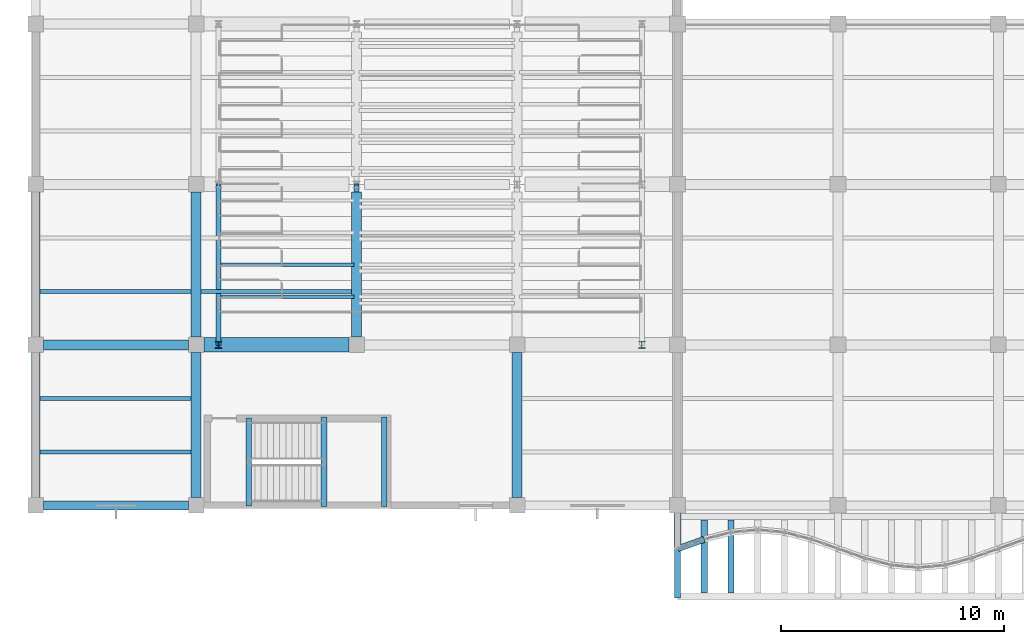
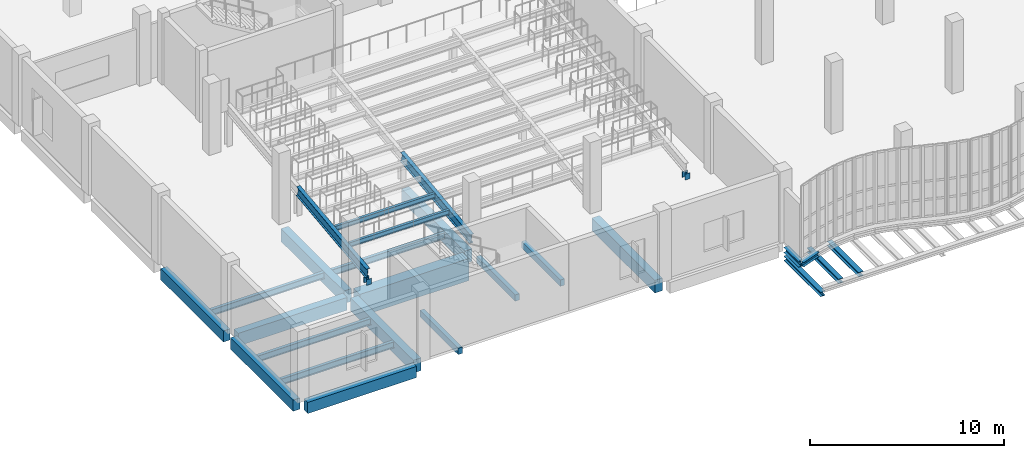
# One storey, part 10 of 108: 25 beams, 2 columns.
"""IFC4 building model written with IfcOpenShell, lengths in metres."""

from ifc_helpers import new_model, si_unit, direction, frame, origin, origin_2d, place, context, subcontext, project, spatial, rectangle, i_section, extrude, material, material_profile, profile_set, type_object, element, save


model = new_model("IFC4")

# Units and contexts
model_context = context("Model", 3, precision=1e-05, world=origin(), true_north=direction((0.0, 1.0)))
body_context = subcontext(model_context, "Body", "Model", "MODEL_VIEW")
ifc_project = project(units=[si_unit("LENGTHUNIT", "METRE"), si_unit("AREAUNIT", "SQUARE_METRE"), si_unit("VOLUMEUNIT", "CUBIC_METRE"), si_unit("PLANEANGLEUNIT", "RADIAN"), si_unit("MASSUNIT", "GRAM", prefix="KILO"), si_unit("THERMODYNAMICTEMPERATUREUNIT", "KELVIN"), si_unit("POWERUNIT", "WATT")], contexts=[model_context])

# Site, building, storey
site_placement = place(None, origin())
site = spatial("IfcSite", under=ifc_project, at=site_placement, CompositionType="ELEMENT")
building_placement = place(site_placement, origin())
building = spatial("IfcBuilding", under=site, at=building_placement, Name="Kaldorven Railside Theatre", CompositionType="ELEMENT")
storey_placement = place(building_placement, frame((0.0, 0.0, 5.39990234375)))
storey = spatial("IfcBuildingStorey", under=building, at=storey_placement, Name="L01", CompositionType="ELEMENT", Elevation=5.39990234375)

# Columns
ifc_material_1 = material(Name="Steel S355", Category="steel")
ifc_material_profile_1 = material_profile(ifc_material_1, i_section(OverallWidth=0.300048828125, OverallDepth=0.300048828125, WebThickness=0.010986328125, FlangeThickness=0.01904296875, at=origin_2d()), Name="HEB 300")
ifc_profile_set_1 = profile_set([ifc_material_profile_1], Name="Steel S355")
column_type = type_object("IfcColumnType", Name="COL-HEB300", PredefinedType="COLUMN", material=ifc_profile_set_1)
for number, where, z_axis, x_axis, name in (
    (1, (16.199951171875, 26.39990234375, 0.0), (0.0, 0.0, 1.0), (1.0, 0.0, 0.0), "Raker Support Stanchion V3S-1-01"),
    (2, (35.199951171875, 26.39990234375, 0.0), (0.0, 0.0, 1.0), (1.0, 0.0, 0.0), "Raker Support Stanchion V3S-4-01"),
):
    element("IfcColumn", number, at=place(storey_placement, frame(where, z_axis=z_axis, x_axis=x_axis)), inside=storey, type_object=column_type, Name=name, PredefinedType="COLUMN", context=body_context, shape_type="SweptSolid", body=[
        extrude(i_section(OverallWidth=0.300048828125, OverallDepth=0.300048828125, WebThickness=0.010986328125, FlangeThickness=0.01904296875, at=origin_2d()), origin(), (0.0, 0.0, 1.0), 0.360107421875),
    ])

# Beams
ifc_material_profile_2 = material_profile(ifc_material_1, i_section(OverallWidth=0.280029296875, OverallDepth=0.280029296875, WebThickness=0.010498046875, FlangeThickness=0.01806640625, at=origin_2d()), Name="HEB 280")
ifc_profile_set_2 = profile_set([ifc_material_profile_2], Name="Steel S355")
beam_type_1 = type_object("IfcBeamType", Name="BM-HEB280", PredefinedType="SPANDREL", material=ifc_profile_set_2)
beam_1_placement = place(storey_placement, frame((36.800048828125, 15.050048828125, -1.0), z_axis=(0.0, 1.0, 0.0), x_axis=(-1.0, 0.0, 0.0)))
element("IfcBeam", 3, at=beam_1_placement, inside=storey, type_object=beam_type_1, Name="L01 Sinusoidal Lower Cantilever Girder FOB-K001", PredefinedType="SPANDREL", context=body_context, shape_type="SweptSolid", body=[
    extrude(i_section(OverallWidth=0.280029296875, OverallDepth=0.280029296875, WebThickness=0.010498046875, FlangeThickness=0.01806640625, at=origin_2d()), origin(), (0.0, 0.0, 1.0), 3.800048828125),
])
beam_2_placement = place(storey_placement, frame((36.814208984375, 17.2548828125, -0.43994140625), z_axis=(0.942605331688, 0.333908952671, 0.0), x_axis=(-0.333908952671, 0.942605331688, 0.0)))
element("IfcBeam", 4, at=beam_2_placement, inside=storey, type_object=beam_type_1, Name="L01 Sinusoidal Flute Edge Spandrel FSB-001", PredefinedType="SPANDREL", context=body_context, shape_type="SweptSolid", body=[
    extrude(i_section(OverallWidth=0.280029296875, OverallDepth=0.280029296875, WebThickness=0.010498046875, FlangeThickness=0.01806640625, at=origin_2d()), origin(), (0.0, 0.0, 1.0), 1.242919921875),
])
for number, where, z_axis, x_axis, name in (
    (5, (38.0, 15.260009765625, -0.719970703125), (0.0, 1.0, 0.0), (-1.0, 0.0, 0.0), "L01 Sinusoidal Diaphragm Rib Outrigger FOB-M002"),
    (6, (39.199951171875, 15.260009765625, -0.719970703125), (0.0, 1.0, 0.0), (-1.0, 0.0, 0.0), "L01 Sinusoidal Diaphragm Rib Outrigger FOB-M003"),
):
    element("IfcBeam", number, at=place(storey_placement, frame(where, z_axis=z_axis, x_axis=x_axis)), inside=storey, type_object=beam_type_1, Name=name, PredefinedType="SPANDREL", context=body_context, shape_type="SweptSolid", body=[
        extrude(i_section(OverallWidth=0.280029296875, OverallDepth=0.280029296875, WebThickness=0.010498046875, FlangeThickness=0.01806640625, at=origin_2d()), origin(), (0.0, 0.0, 1.0), 3.280029296875),
    ])
ifc_material_profile_3 = material_profile(ifc_material_1, i_section(OverallWidth=0.300048828125, OverallDepth=0.340087890625, WebThickness=0.011962890625, FlangeThickness=0.021484375, at=origin_2d()), Name="HEB 340")
ifc_profile_set_3 = profile_set([ifc_material_profile_3], Name="Steel S355")
beam_type_2 = type_object("IfcBeamType", Name="BM-HEB340", PredefinedType="SPANDREL", material=ifc_profile_set_3)
beam_3_placement = place(storey_placement, frame((36.800048828125, 17.31005859375, -0.469970703125), z_axis=(0.0, 1.0, 0.0), x_axis=(-1.0, 0.0, 0.0)))
element("IfcBeam", 7, at=beam_3_placement, inside=storey, type_object=beam_type_2, Name="L01 Sinusoidal Veil Outrigger FOB-1036", PredefinedType="SPANDREL", context=body_context, shape_type="SweptSolid", body=[
    extrude(i_section(OverallWidth=0.300048828125, OverallDepth=0.340087890625, WebThickness=0.011962890625, FlangeThickness=0.021484375, at=origin_2d()), origin(), (0.0, 0.0, 1.0), 1.5400390625),
])
ifc_material_profile_4 = material_profile(ifc_material_1, i_section(OverallWidth=0.14990234375, OverallDepth=0.300048828125, WebThickness=0.007080078125, FlangeThickness=0.0107421875, at=origin_2d()), Name="IPE 300")
ifc_profile_set_4 = profile_set([ifc_material_profile_4], Name="Steel S355")
beam_type_3 = type_object("IfcBeamType", Name="BM-IPE300", PredefinedType="JOIST", material=ifc_profile_set_4)
for number, where, z_axis, x_axis, name in (
    (8, (16.31005859375, 28.56005859375, 1.090087890625), (1.0, 0.0, 0.0), (0.0, 1.0, 0.0), "Seating Tier Transverse Bearer TBR-V3S-021"),
    (9, (16.31005859375, 30.0, 1.260009765625), (1.0, 0.0, 0.0), (0.0, 1.0, 0.0), "Seating Tier Transverse Bearer TBR-V3S-031"),
):
    element("IfcBeam", number, at=place(storey_placement, frame(where, z_axis=z_axis, x_axis=x_axis)), inside=storey, type_object=beam_type_3, Name=name, PredefinedType="JOIST", context=body_context, shape_type="SweptSolid", body=[
        extrude(i_section(OverallWidth=0.14990234375, OverallDepth=0.300048828125, WebThickness=0.007080078125, FlangeThickness=0.0107421875, at=origin_2d()), origin(), (0.0, 0.0, 1.0), 5.97998046875),
    ])
ifc_material_profile_5 = material_profile(ifc_material_1, i_section(OverallWidth=0.179931640625, OverallDepth=0.39990234375, WebThickness=0.008544921875, FlangeThickness=0.013427734375, at=origin_2d()), Name="IPE 400")
ifc_profile_set_5 = profile_set([ifc_material_profile_5], Name="Steel S355")
beam_type_4 = type_object("IfcBeamType", Name="BM-IPE400", PredefinedType="JOIST", material=ifc_profile_set_5)
for number, where, z_axis, x_axis, name in (
    (10, (8.199951171875, 21.60009765625, -0.47998046875), (1.0, 0.0, 0.0), (0.0, 1.0, 0.0), "L01 Secondary Floor Joist JG-L01-008-0216"),
    (11, (8.199951171875, 24.0, -0.47998046875), (1.0, 0.0, 0.0), (0.0, 1.0, 0.0), "L01 Secondary Floor Joist JG-L01-008-0240"),
    (12, (8.199951171875, 28.800048828125, -0.47998046875), (1.0, 0.0, 0.0), (0.0, 1.0, 0.0), "L01 Secondary Floor Joist JG-L01-008-0288"),
):
    element("IfcBeam", number, at=place(storey_placement, frame(where, z_axis=z_axis, x_axis=x_axis)), inside=storey, type_object=beam_type_4, Name=name, PredefinedType="JOIST", context=body_context, shape_type="SweptSolid", body=[
        extrude(i_section(OverallWidth=0.179931640625, OverallDepth=0.39990234375, WebThickness=0.008544921875, FlangeThickness=0.013427734375, at=origin_2d()), origin(), (0.0, 0.0, 1.0), 6.775146484375),
    ])
beam_4_placement = place(storey_placement, frame((15.425048828125, 28.800048828125, -0.47998046875), z_axis=(1.0, 0.0, 0.0), x_axis=(0.0, 1.0, 0.0)))
element("IfcBeam", 13, at=beam_4_placement, inside=storey, type_object=beam_type_4, Name="L01 Secondary Floor Joist JG-L01-015-0288", PredefinedType="JOIST", context=body_context, shape_type="SweptSolid", body=[
    extrude(i_section(OverallWidth=0.179931640625, OverallDepth=0.39990234375, WebThickness=0.008544921875, FlangeThickness=0.013427734375, at=origin_2d()), origin(), (0.0, 0.0, 1.0), 6.75),
])
ifc_material_profile_6 = material_profile(ifc_material_1, i_section(OverallWidth=0.219970703125, OverallDepth=0.60009765625, WebThickness=0.011962890625, FlangeThickness=0.01904296875, at=origin_2d()), Name="IPE 600")
ifc_profile_set_6 = profile_set([ifc_material_profile_6], Name="Steel S355")
beam_type_5 = type_object("IfcBeamType", Name="BM-IPE600", PredefinedType="USERDEFINED", material=ifc_profile_set_6)
for number, where, z_axis, x_axis, name in (
    (14, (16.199951171875, 26.39990234375, 0.64501953125), (0.0, 0.993102250228, 0.117251527034), (-1.0, 0.0, 0.0), "Auditorium Raker Girder RKG-V3S-11"),
    (15, (22.39990234375, 26.39990234375, 0.64501953125), (0.0, 0.993102250228, 0.117251527034), (-1.0, 0.0, 0.0), "Auditorium Raker Girder RKG-V3S-21"),
):
    element("IfcBeam", number, at=place(storey_placement, frame(where, z_axis=z_axis, x_axis=x_axis)), inside=storey, type_object=beam_type_5, Name=name, ObjectType="RAKER BEAM", PredefinedType="USERDEFINED", context=body_context, shape_type="SweptSolid", body=[
        extrude(i_section(OverallWidth=0.219970703125, OverallDepth=0.60009765625, WebThickness=0.011962890625, FlangeThickness=0.01904296875, at=origin_2d()), origin(), (0.0, 0.0, 1.0), 7.250244140625),
    ])
ifc_material_2 = material(Name="Concrete C40/50", Category="concrete")
ifc_material_profile_7 = material_profile(ifc_material_2, rectangle(XDim=0.25, YDim=0.39990234375, at=origin_2d()), Name="RC 250x400")
ifc_profile_set_7 = profile_set([ifc_material_profile_7], Name="Concrete C40/50")
beam_type_6 = type_object("IfcBeamType", Name="BM-RC250x400", PredefinedType="LINTEL", material=ifc_profile_set_7)
beam_5_placement = place(storey_placement, frame((17.550048828125, 19.169921875, -0.344970703125), z_axis=(0.0, 1.0, 0.0), x_axis=(-1.0, 0.0, 0.0)))
element("IfcBeam", 16, at=beam_5_placement, inside=storey, type_object=beam_type_6, Name="Stair ST-01 L01 Landing Trimmer Beam", PredefinedType="LINTEL", context=body_context, shape_type="SweptSolid", body=[
    extrude(rectangle(XDim=0.25, YDim=0.39990234375, at=origin_2d()), origin(), (0.0, 0.0, 1.0), 3.9599609375),
])
for number, where, z_axis, x_axis, name in (
    (17, (20.93505859375, 19.139892578125, 1.85009765625), (0.0, 1.0, 0.0), (-1.0, 0.0, 0.0), "Stair ST-01 L01 Half-Landing Bearer"),
    (18, (23.6298828125, 19.139892578125, 1.85009765625), (0.0, 1.0, 0.0), (-1.0, 0.0, 0.0), "Stair ST-01 L01 Half-Landing Bearer"),
):
    element("IfcBeam", number, at=place(storey_placement, frame(where, z_axis=z_axis, x_axis=x_axis)), inside=storey, type_object=beam_type_6, Name=name, PredefinedType="LINTEL", context=body_context, shape_type="SweptSolid", body=[
        extrude(rectangle(XDim=0.25, YDim=0.39990234375, at=origin_2d()), origin(), (0.0, 0.0, 1.0), 4.02001953125),
    ])
ifc_material_profile_8 = material_profile(ifc_material_2, rectangle(XDim=0.39990234375, YDim=0.699951171875, at=origin_2d()), Name="RC 400x700")
ifc_profile_set_8 = profile_set([ifc_material_profile_8], Name="Concrete C40/50")
beam_type_7 = type_object("IfcBeamType", Name="BM-RC400x700", PredefinedType="BEAM", material=ifc_profile_set_8)
for number, where, z_axis, x_axis, name in (
    (19, (8.35009765625, 19.199951171875, -0.6298828125), (1.0, 0.0, 0.0), (0.0, 1.0, 0.0), "L01 Girder BGX-L01-008-019"),
    (20, (8.0, 19.550048828125, -0.6298828125), (0.0, 1.0, 0.0), (-1.0, 0.0, 0.0), "L01 Girder BGY-L01-008-019-72"),
    (21, (8.0, 26.75, -0.6298828125), (0.0, 1.0, 0.0), (-1.0, 0.0, 0.0), "L01 Girder BGY-L01-008-026-72"),
):
    element("IfcBeam", number, at=place(storey_placement, frame(where, z_axis=z_axis, x_axis=x_axis)), inside=storey, type_object=beam_type_7, Name=name, PredefinedType="BEAM", context=body_context, shape_type="SweptSolid", body=[
        extrude(rectangle(XDim=0.39990234375, YDim=0.699951171875, at=origin_2d()), origin(), (0.0, 0.0, 1.0), 6.5),
    ])
ifc_material_profile_9 = material_profile(ifc_material_2, rectangle(XDim=0.449951171875, YDim=0.800048828125, at=origin_2d()), Name="RC 450x800")
ifc_profile_set_9 = profile_set([ifc_material_profile_9], Name="Concrete C40/50")
beam_type_8 = type_object("IfcBeamType", Name="BM-RC450x800", PredefinedType="BEAM", material=ifc_profile_set_9)
for number, where, z_axis, x_axis, name in (
    (22, (15.199951171875, 19.550048828125, -0.679931640625), (0.0, 1.0, 0.0), (-1.0, 0.0, 0.0), "L01 Girder BGY-L01-015-019-72"),
    (23, (29.60009765625, 19.550048828125, -0.679931640625), (0.0, 1.0, 0.0), (-1.0, 0.0, 0.0), "L01 Girder BGY-L01-029-019-72"),
    (24, (8.35009765625, 26.39990234375, -0.679931640625), (1.0, 0.0, 0.0), (0.0, 1.0, 0.0), "L01 Girder BGX-L01-008-026"),
    (25, (15.199951171875, 26.75, -0.679931640625), (0.0, 1.0, 0.0), (-1.0, 0.0, 0.0), "L01 Girder BGY-L01-015-026-72"),
    (26, (22.39990234375, 26.75, -0.679931640625), (0.0, 1.0, 0.0), (-1.0, 0.0, 0.0), "L01 Girder BGY-L01-022-026-72"),
):
    element("IfcBeam", number, at=place(storey_placement, frame(where, z_axis=z_axis, x_axis=x_axis)), inside=storey, type_object=beam_type_8, Name=name, PredefinedType="BEAM", context=body_context, shape_type="SweptSolid", body=[
        extrude(rectangle(XDim=0.449951171875, YDim=0.800048828125, at=origin_2d()), origin(), (0.0, 0.0, 1.0), 6.5),
    ])
ifc_material_profile_10 = material_profile(ifc_material_2, rectangle(XDim=0.64990234375, YDim=1.39990234375, at=origin_2d()), Name="RC 650x1400")
ifc_profile_set_10 = profile_set([ifc_material_profile_10], Name="Concrete C40/50")
beam_type_9 = type_object("IfcBeamType", Name="BM-RC650x1400", PredefinedType="BEAM", material=ifc_profile_set_10)
beam_6_placement = place(storey_placement, frame((15.550048828125, 26.39990234375, -0.97998046875), z_axis=(1.0, 0.0, 0.0), x_axis=(0.0, 1.0, 0.0)))
element("IfcBeam", 27, at=beam_6_placement, inside=storey, type_object=beam_type_9, Name="L01 Girder BGX-L01-015-026", PredefinedType="BEAM", context=body_context, shape_type="SweptSolid", body=[
    extrude(rectangle(XDim=0.64990234375, YDim=1.39990234375, at=origin_2d()), origin(), (0.0, 0.0, 1.0), 6.5),
])

save(model, "model.ifc")
